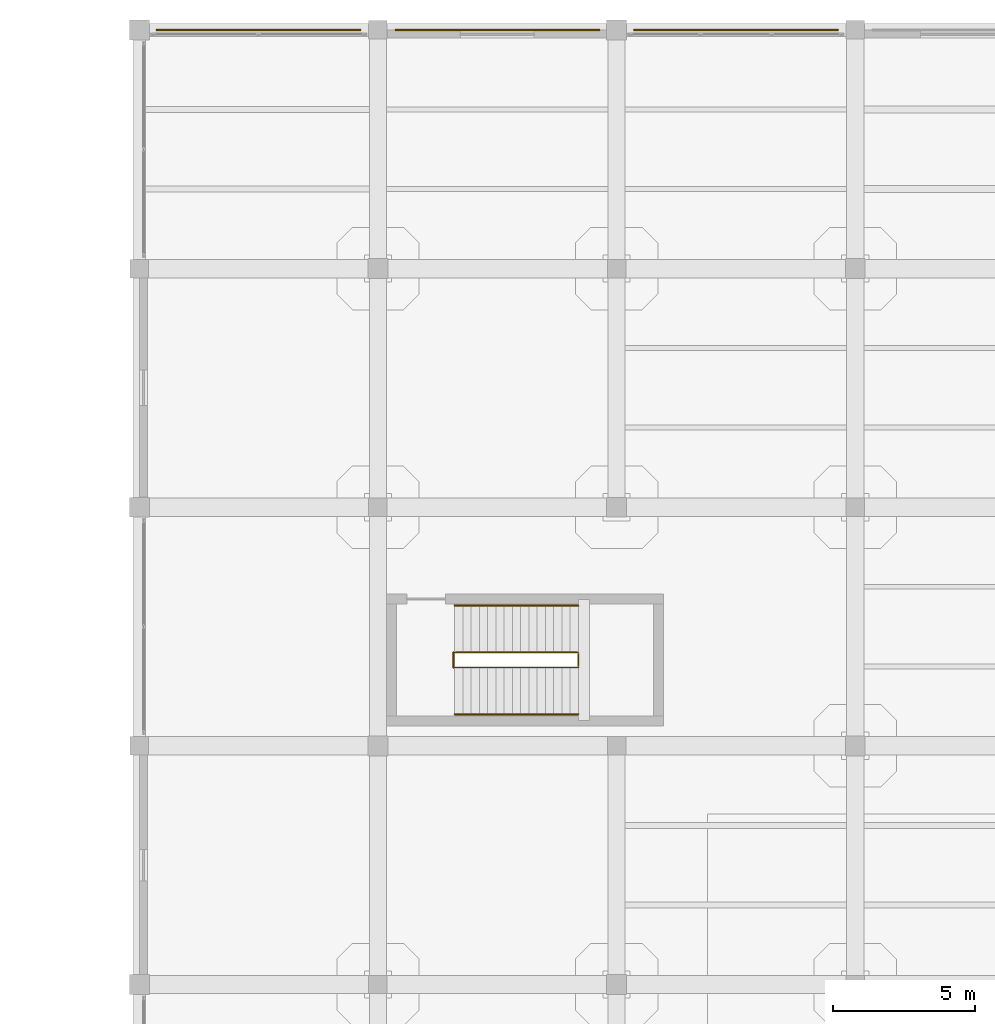
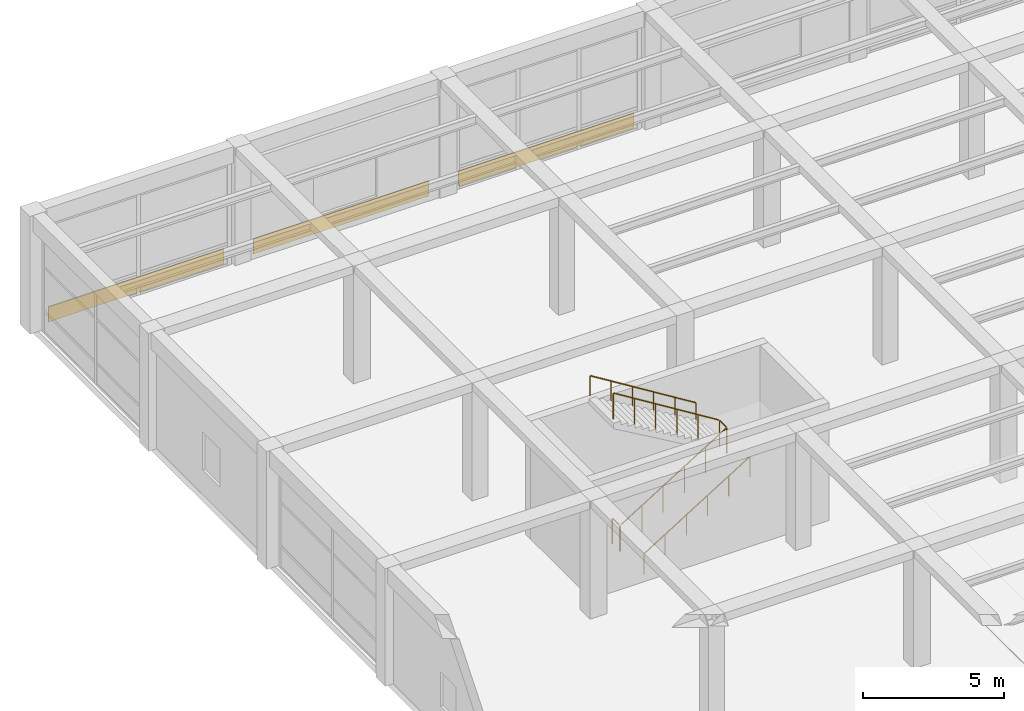
# One storey, part 89 of 96: 4 railings, 3 coverings.
"""IFC4 building model written with IfcOpenShell, lengths in metres."""

from ifc_helpers import new_model, si_unit, direction, frame, origin, origin_2d, place, context, subcontext, project, spatial, rectangle, circle, extrude, material, layer, layer_set, type_object, element, save


model = new_model("IFC4")

# Units and contexts
model_context = context("Model", 3, precision=1e-05, world=origin(), true_north=direction((0.0, 1.0)))
body_context = subcontext(model_context, "Body", "Model", "MODEL_VIEW")
ifc_project = project(units=[si_unit("LENGTHUNIT", "METRE"), si_unit("AREAUNIT", "SQUARE_METRE"), si_unit("VOLUMEUNIT", "CUBIC_METRE"), si_unit("PLANEANGLEUNIT", "RADIAN"), si_unit("MASSUNIT", "GRAM", prefix="KILO")], contexts=[model_context])

# Site, building, storey
site_placement = place(None, origin())
site = spatial("IfcSite", under=ifc_project, at=site_placement, CompositionType="ELEMENT")
building_placement = place(site_placement, origin())
building = spatial("IfcBuilding", under=site, at=building_placement, Name="Almacenes y Pasaje Nevantli", CompositionType="ELEMENT")
storey_placement = place(building_placement, frame((0.0, 0.0, 6.0)))
storey = spatial("IfcBuildingStorey", under=building, at=storey_placement, Name="L02", CompositionType="ELEMENT", Elevation=6.0)

# Coverings
ifc_material_1 = material(Name="Cantera Rosa Quarry Tuff Stone", Category="masonry")
ifc_layer = layer(ifc_material_1, 0.044921875)
ifc_layer_set = layer_set([ifc_layer], Name="Cantera Rosa Quarry Tuff Stone")
covering_type = type_object("IfcCoveringType", Name="COV-CANTERA-CLAD", PredefinedType="CLADDING", material=ifc_layer_set)
for number, where, z_axis, x_axis, name in (
    (1, (4.199951171875, 117.60009765625, 0.0), (0.0, 0.0, 1.0), (1.0, 0.0, 0.0), "Boulevard Polychrome Cantera Rosa Spandrel Cladding #1"),
    (2, (12.60009765625, 117.60009765625, 0.0), (0.0, 0.0, 1.0), (1.0, 0.0, 0.0), "Boulevard Polychrome Cantera Rosa Spandrel Cladding #2"),
    (3, (21.0, 117.60009765625, 0.0), (0.0, 0.0, 1.0), (1.0, 0.0, 0.0), "Boulevard Polychrome Cantera Rosa Spandrel Cladding #3"),
):
    element("IfcCovering", number, at=place(storey_placement, frame(where, z_axis=z_axis, x_axis=x_axis)), inside=storey, type_object=covering_type, Name=name, PredefinedType="CLADDING", context=body_context, shape_type="SweptSolid", body=[
        extrude(rectangle(XDim=7.199951171875, YDim=0.044921875, at=origin_2d()), origin(), (0.0, 0.0, 1.0), 0.64990234375),
    ])

# Railings
ifc_material_2 = material(Name="Brushed Stainless Steel and Tempered Safety Glass", Category="steel")
railing_type_1 = type_object("IfcRailingType", Name="RL-GUARD-1100", PredefinedType="BALUSTRADE", material=ifc_material_2)
railing_1_placement = place(storey_placement, frame((11.10009765625, 95.159912109375, 0.0)))
element("IfcRailing", 4, at=railing_1_placement, inside=storey, type_object=railing_type_1, Name="L02 Stair ST-03 Inner Well Guard Balustrade", PredefinedType="BALUSTRADE", context=body_context, shape_type="SweptSolid", body=[
    extrude(circle(Radius=0.02392578125, at=origin_2d()), frame((0.025390625, 0.0, 1.1416015625), z_axis=(0.849636482215, 0.0, 0.527368797038), x_axis=(0.0, 1.0, 0.0)), (0.0, 0.0, 1.0), 5.0595703125),
    extrude(circle(Radius=0.02392578125, at=origin_2d()), frame((4.349853515625, 0.030029296875, 3.82568359375), z_axis=(0.0, 1.0, 0.0), x_axis=(-1.0, 0.0, 0.0)), (0.0, 0.0, 1.0), 0.469970703125),
    extrude(circle(Radius=0.02392578125, at=origin_2d()), frame((4.324462890625, 0.530029296875, 3.841552734375), z_axis=(-0.849636482215, 0.0, 0.527368797038), x_axis=(0.0, -1.0, 0.0)), (0.0, 0.0, 1.0), 5.0595703125),
    extrude(circle(Radius=0.02099609375, at=origin_2d()), origin(), (0.0, 0.0, 1.0), 1.096923828125),
    extrude(circle(Radius=0.02099609375, at=origin_2d()), frame((0.869873046875, 0.0, 0.5400390625)), (0.0, 0.0, 1.0), 1.096923828125),
    extrude(circle(Radius=0.02099609375, at=origin_2d()), frame((1.739990234375, 0.0, 1.080078125)), (0.0, 0.0, 1.0), 1.096923828125),
    extrude(circle(Radius=0.02099609375, at=origin_2d()), frame((2.60986328125, 0.0, 1.619873046875)), (0.0, 0.0, 1.0), 1.096923828125),
    extrude(circle(Radius=0.02099609375, at=origin_2d()), frame((3.47998046875, 0.0, 2.159912109375)), (0.0, 0.0, 1.0), 1.096923828125),
    extrude(circle(Radius=0.02099609375, at=origin_2d()), frame((4.349853515625, 0.0, 2.699951171875)), (0.0, 0.0, 1.0), 1.096923828125),
    extrude(circle(Radius=0.02099609375, at=origin_2d()), frame((4.349853515625, 0.530029296875, 2.699951171875)), (0.0, 0.0, 1.0), 1.096923828125),
    extrude(circle(Radius=0.02099609375, at=origin_2d()), frame((3.47998046875, 0.530029296875, 3.239990234375)), (0.0, 0.0, 1.0), 1.096923828125),
    extrude(circle(Radius=0.02099609375, at=origin_2d()), frame((2.60986328125, 0.530029296875, 3.780029296875)), (0.0, 0.0, 1.0), 1.096923828125),
    extrude(circle(Radius=0.02099609375, at=origin_2d()), frame((1.739990234375, 0.530029296875, 4.31982421875)), (0.0, 0.0, 1.0), 1.096923828125),
    extrude(circle(Radius=0.02099609375, at=origin_2d()), frame((0.869873046875, 0.530029296875, 4.85986328125)), (0.0, 0.0, 1.0), 1.096923828125),
    extrude(circle(Radius=0.02099609375, at=origin_2d()), frame((0.0, 0.530029296875, 5.39990234375)), (0.0, 0.0, 1.0), 1.096923828125),
])
railing_2_placement = place(storey_placement, frame((11.06005859375, 95.159912109375, 0.0)))
element("IfcRailing", 5, at=railing_2_placement, inside=storey, type_object=railing_type_1, Name="L02 Stair ST-03 Landing Well Slot Guard", PredefinedType="BALUSTRADE", context=body_context, shape_type="SweptSolid", body=[
    extrude(circle(Radius=0.02392578125, at=origin_2d()), frame((0.0, 0.030029296875, 1.1259765625), z_axis=(0.0, 1.0, 0.0), x_axis=(-1.0, 0.0, 0.0)), (0.0, 0.0, 1.0), 0.469970703125),
    extrude(circle(Radius=0.02099609375, at=origin_2d()), origin(), (0.0, 0.0, 1.0), 1.096923828125),
    extrude(circle(Radius=0.02099609375, at=origin_2d()), frame((0.0, 0.530029296875, 0.0)), (0.0, 0.0, 1.0), 1.096923828125),
])
ifc_material_3 = material(Name="Brushed Stainless Steel Tube", Category="steel")
railing_type_2 = type_object("IfcRailingType", Name="RL-HANDRAIL-900", PredefinedType="HANDRAIL", material=ifc_material_3)
railing_3_placement = place(storey_placement, frame((11.10009765625, 93.510009765625, 0.0)))
element("IfcRailing", 6, at=railing_3_placement, inside=storey, type_object=railing_type_2, Name="L02 Stair ST-03 Lower Flight Handrail", PredefinedType="HANDRAIL", context=body_context, shape_type="SweptSolid", body=[
    extrude(circle(Radius=0.02392578125, at=origin_2d()), frame((0.025390625, 0.0, 0.8916015625), z_axis=(0.849636482215, 0.0, 0.527368797038), x_axis=(0.0, 1.0, 0.0)), (0.0, 0.0, 1.0), 5.0595703125),
    extrude(circle(Radius=0.02099609375, at=origin_2d()), origin(), (0.0, 0.0, 1.0), 0.846923828125),
    extrude(circle(Radius=0.02099609375, at=origin_2d()), frame((0.869873046875, 0.0, 0.5400390625)), (0.0, 0.0, 1.0), 0.846923828125),
    extrude(circle(Radius=0.02099609375, at=origin_2d()), frame((1.739990234375, 0.0, 1.080078125)), (0.0, 0.0, 1.0), 0.846923828125),
    extrude(circle(Radius=0.02099609375, at=origin_2d()), frame((2.60986328125, 0.0, 1.619873046875)), (0.0, 0.0, 1.0), 0.846923828125),
    extrude(circle(Radius=0.02099609375, at=origin_2d()), frame((3.47998046875, 0.0, 2.159912109375)), (0.0, 0.0, 1.0), 0.846923828125),
    extrude(circle(Radius=0.02099609375, at=origin_2d()), frame((4.349853515625, 0.0, 2.699951171875)), (0.0, 0.0, 1.0), 0.846923828125),
])
railing_4_placement = place(storey_placement, frame((15.449951171875, 97.340087890625, 2.699951171875)))
element("IfcRailing", 7, at=railing_4_placement, inside=storey, type_object=railing_type_2, Name="L02 Stair ST-03 Upper Flight Handrail", PredefinedType="HANDRAIL", context=body_context, shape_type="SweptSolid", body=[
    extrude(circle(Radius=0.02392578125, at=origin_2d()), frame((-0.025390625, 0.0, 0.8916015625), z_axis=(-0.849636482215, 0.0, 0.527368797038), x_axis=(0.0, -1.0, 0.0)), (0.0, 0.0, 1.0), 5.0595703125),
    extrude(circle(Radius=0.02099609375, at=origin_2d()), origin(), (0.0, 0.0, 1.0), 0.846923828125),
    extrude(circle(Radius=0.02099609375, at=origin_2d()), frame((-0.869873046875, 0.0, 0.5400390625)), (0.0, 0.0, 1.0), 0.846923828125),
    extrude(circle(Radius=0.02099609375, at=origin_2d()), frame((-1.739990234375, 0.0, 1.080078125)), (0.0, 0.0, 1.0), 0.846923828125),
    extrude(circle(Radius=0.02099609375, at=origin_2d()), frame((-2.60986328125, 0.0, 1.619873046875)), (0.0, 0.0, 1.0), 0.846923828125),
    extrude(circle(Radius=0.02099609375, at=origin_2d()), frame((-3.47998046875, 0.0, 2.159912109375)), (0.0, 0.0, 1.0), 0.846923828125),
    extrude(circle(Radius=0.02099609375, at=origin_2d()), frame((-4.349853515625, 0.0, 2.699951171875)), (0.0, 0.0, 1.0), 0.846923828125),
])

save(model, "model.ifc")
